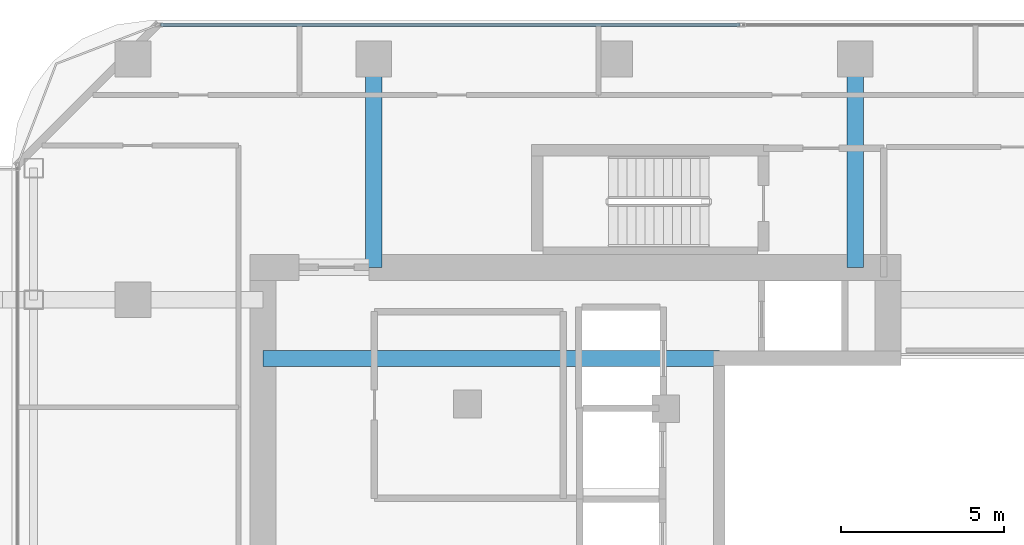
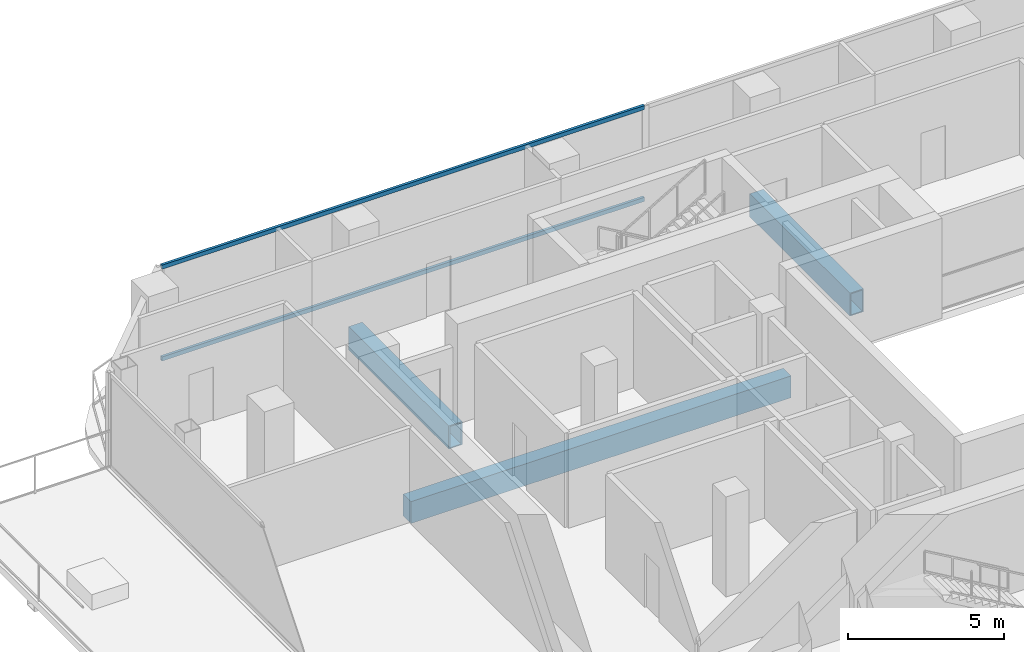
# One storey, part 15 of 26: 3 beams, 2 members, 1 element without a shape of its own.
"""IFC4 building model written with IfcOpenShell, lengths in metres."""

from ifc_helpers import new_model, si_unit, direction, frame, origin, origin_2d, place, context, subcontext, project, spatial, rectangle, hollow_rectangle, extrude, material, layer, layer_set, material_profile, profile_set, type_object, element, aggregate, save


model = new_model("IFC4")

# Units and contexts
model_context = context("Model", 3, precision=1e-05, world=origin(), true_north=direction((0.0, 1.0)))
body_context = subcontext(model_context, "Body", "Model", "MODEL_VIEW")
ifc_project = project(units=[si_unit("LENGTHUNIT", "METRE"), si_unit("AREAUNIT", "SQUARE_METRE"), si_unit("VOLUMEUNIT", "CUBIC_METRE"), si_unit("PLANEANGLEUNIT", "RADIAN"), si_unit("MASSUNIT", "GRAM", prefix="KILO")], contexts=[model_context])

# Site, building, storey
site_placement = place(None, origin())
site = spatial("IfcSite", under=ifc_project, at=site_placement, CompositionType="ELEMENT")
building_placement = place(site_placement, origin())
building = spatial("IfcBuilding", under=site, at=building_placement, Name="Khorvyn Point Tower", CompositionType="ELEMENT")
storey_placement = place(building_placement, frame((0.0, 0.0, 219.60009765625)))
storey = spatial("IfcBuildingStorey", under=building, at=storey_placement, Name="L54", CompositionType="ELEMENT", Elevation=219.60009765625)

# Curtain wall, members
ifc_material_1 = material(Name="Anodised aluminium 6063-T6 and laminated Low-E glass", Category="aluminium")
ifc_layer = layer(ifc_material_1, 0.18994140625)
ifc_layer_set = layer_set([ifc_layer], Name="Stick-Built Acoustic Curtain Wall CW-SYS-03")
curtain_wall_type = type_object("IfcCurtainWallType", Name="Stick-Built Acoustic Curtain Wall CW-SYS-03", PredefinedType="NOTDEFINED", material=ifc_layer_set)
curtain_wall_placement = place(storey_placement, origin())
curtain_wall = element("IfcCurtainWall", 1, at=curtain_wall_placement, inside=storey, type_object=curtain_wall_type, Name="Curtain Wall", PredefinedType="NOTDEFINED")
ifc_material_2 = material(Name="Anodised aluminium 6063-T6", Category="aluminium")
ifc_material_profile_1 = material_profile(ifc_material_2, hollow_rectangle(XDim=0.10009765625, YDim=0.159912109375, WallThickness=0.00439453125, at=origin_2d()))
ifc_profile_set_1 = profile_set([ifc_material_profile_1], Name="Anodised aluminium 6063-T6 ALU-TRN-100x160")
member_type = type_object("IfcMemberType", Name="Anodised Aluminium 6063-T6 Transom ALU-TRN-100x160", PredefinedType="USERDEFINED", material=ifc_profile_set_1)
member_1_placement = place(storey_placement, frame((-13.949951171875, 15.85009765625, 0.0498046875), z_axis=(1.0, 0.0, 0.0), x_axis=(0.0, 1.0, 0.0)))
member_1 = element("IfcMember", 2, at=member_1_placement, type_object=member_type, Name="Transom", ObjectType="TRANSOM", PredefinedType="USERDEFINED", context=body_context, shape_type="SweptSolid", body=[
    extrude(hollow_rectangle(XDim=0.10009765625, YDim=0.159912109375, WallThickness=0.00439453125, at=origin_2d()), origin(), (0.0, 0.0, 1.0), 17.800048828125),
])
member_2_placement = place(storey_placement, frame((-13.949951171875, 15.85009765625, 3.6298828125), z_axis=(1.0, 0.0, 0.0), x_axis=(0.0, 1.0, 0.0)))
member_2 = element("IfcMember", 3, at=member_2_placement, type_object=member_type, Name="Transom", ObjectType="TRANSOM", PredefinedType="USERDEFINED", context=body_context, shape_type="SweptSolid", body=[
    extrude(hollow_rectangle(XDim=0.10009765625, YDim=0.159912109375, WallThickness=0.00439453125, at=origin_2d()), origin(), (0.0, 0.0, 1.0), 17.800048828125),
])
aggregate(curtain_wall, [member_1, member_2])

# Beams
ifc_material_3 = material(Name="Concrete C45/55", Category="concrete")
ifc_material_profile_2 = material_profile(ifc_material_3, rectangle(XDim=0.5, YDim=0.85009765625, at=origin_2d()))
ifc_profile_set_2 = profile_set([ifc_material_profile_2], Name="Concrete C45/55 RC500x850")
beam_type_1 = type_object("IfcBeamType", Name="Concrete C45/55 Beam RC500x850", PredefinedType="BEAM", material=ifc_profile_set_2)
beam_placement = place(storey_placement, frame((-10.800048828125, 5.60009765625, -0.705078125), z_axis=(1.0, 0.0, 0.0), x_axis=(0.0, 1.0, 0.0)))
element("IfcBeam", 4, at=beam_placement, inside=storey, type_object=beam_type_1, Name="L54 Core Internal Tie Girder N", PredefinedType="BEAM", context=body_context, shape_type="SweptSolid", body=[
    extrude(rectangle(XDim=0.5, YDim=0.85009765625, at=origin_2d()), origin(), (0.0, 0.0, 1.0), 14.02001953125),
])
ifc_material_4 = material(Name="Steel S450", Category="steel")
ifc_material_profile_3 = material_profile(ifc_material_4, hollow_rectangle(XDim=0.5, YDim=0.89990234375, WallThickness=0.0400390625, at=origin_2d()))
ifc_profile_set_3 = profile_set([ifc_material_profile_3], Name="Steel S450 BOX900x500x40")
beam_type_2 = type_object("IfcBeamType", Name="Steel S450 Beam BOX900x500x40", PredefinedType="BEAM", material=ifc_profile_set_3)
for number, where, z_axis, x_axis, name in (
    (5, (-7.39990234375, 8.39990234375, -0.72998046875), (0.0, 1.0, 0.0), (-1.0, 0.0, 0.0), "Beam"),
    (6, (7.39990234375, 8.39990234375, -0.72998046875), (0.0, 1.0, 0.0), (-1.0, 0.0, 0.0), "Beam"),
):
    element("IfcBeam", number, at=place(storey_placement, frame(where, z_axis=z_axis, x_axis=x_axis)), inside=storey, type_object=beam_type_2, Name=name, PredefinedType="BEAM", context=body_context, shape_type="SweptSolid", body=[
        extrude(hollow_rectangle(XDim=0.5, YDim=0.89990234375, WallThickness=0.0400390625, at=origin_2d()), origin(), (0.0, 0.0, 1.0), 6.400146484375),
    ])

save(model, "model.ifc")
